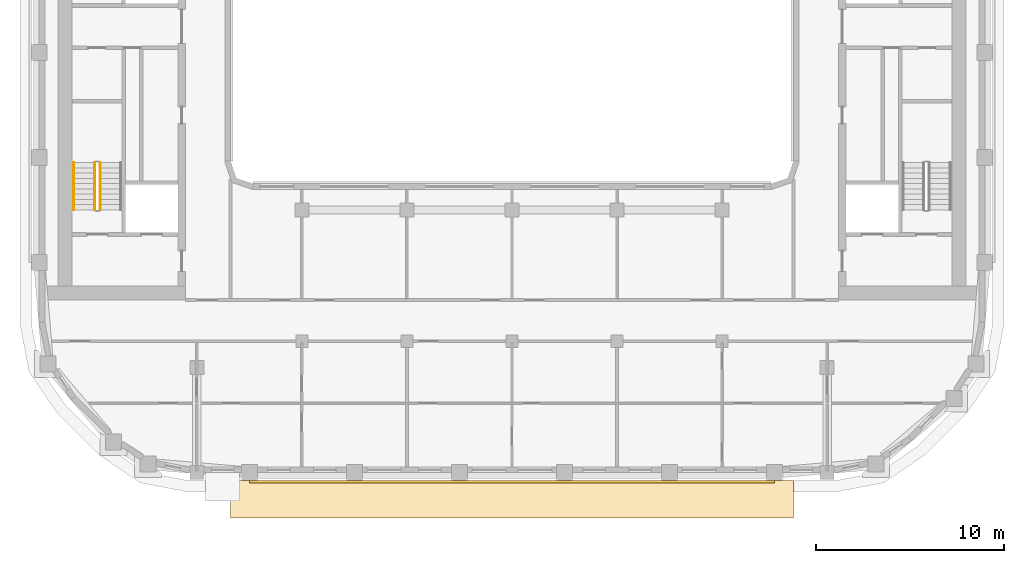
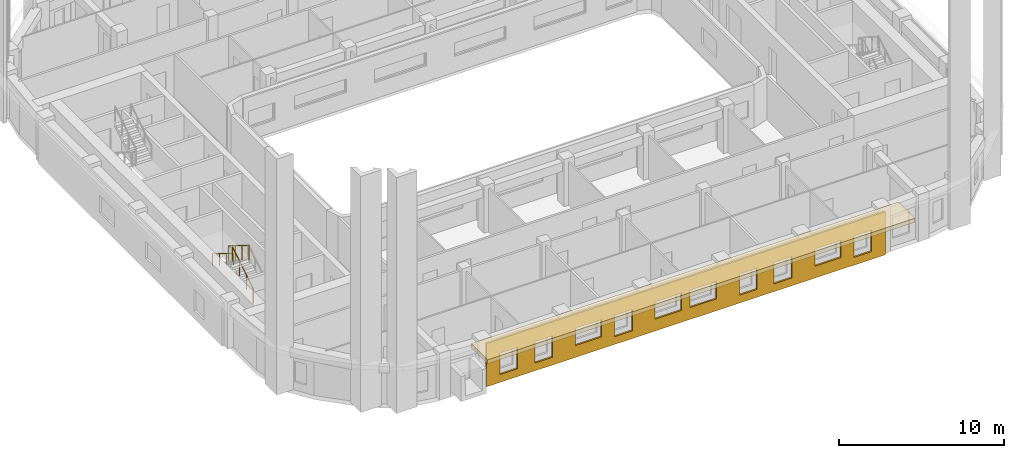
# One storey, part 11 of 21: 3 railings, 2 coverings.
"""IFC4 building model written with IfcOpenShell, lengths in metres."""

from ifc_helpers import new_model, si_unit, direction, frame, origin, origin_2d, place, context, subcontext, project, spatial, polyline, circle, outline, extrude, material, layer, layer_set, type_object, element, save


model = new_model("IFC4")

# Units and contexts
model_context = context("Model", 3, precision=1e-05, world=origin(), true_north=direction((0.0, 1.0)))
body_context = subcontext(model_context, "Body", "Model", "MODEL_VIEW")
ifc_project = project(units=[si_unit("LENGTHUNIT", "METRE"), si_unit("AREAUNIT", "SQUARE_METRE"), si_unit("VOLUMEUNIT", "CUBIC_METRE"), si_unit("PLANEANGLEUNIT", "RADIAN"), si_unit("MASSUNIT", "GRAM", prefix="KILO")], contexts=[model_context])

# Site, building, storey
site_placement = place(None, origin())
site = spatial("IfcSite", under=ifc_project, at=site_placement, CompositionType="ELEMENT")
building_placement = place(site_placement, origin())
building = spatial("IfcBuilding", under=site, at=building_placement, Name="Kiln Ring Residences", CompositionType="ELEMENT")
storey_placement = place(building_placement, frame((0.0, 0.0, 213.39990234375)))
storey = spatial("IfcBuildingStorey", under=building, at=storey_placement, Name="L55", CompositionType="ELEMENT", Elevation=213.39990234375)

# Railings
ifc_material_1 = material(Name="Stainless steel", Category="steel")
railing_type_1 = type_object("IfcRailingType", Name="CORE-STAIR-GUARD", PredefinedType="GUARDRAIL", material=ifc_material_1)
railing_1_placement = place(storey_placement, frame((-21.949951171875, -8.39990234375, 0.175048828125)))
element("IfcRailing", 1, at=railing_1_placement, inside=storey, type_object=railing_type_1, Name="L55 W-STS stair guard 1", PredefinedType="GUARDRAIL", context=body_context, shape_type="SweptSolid", body=[
    extrude(circle(Radius=0.02392578125, at=origin_2d()), frame((0.0, 0.0, 1.076171875), z_axis=(0.0, 0.848007534815, 0.529984170421), x_axis=(-1.0, 0.0, 0.0)), (0.0, 0.0, 1.0), 2.9716796875),
    extrude(circle(Radius=0.02099609375, at=origin_2d()), origin(), (0.0, 0.0, 1.0), 1.052001953125),
    extrude(circle(Radius=0.02099609375, at=origin_2d()), frame((0.0, 0.840087890625, 0.52490234375)), (0.0, 0.0, 1.0), 1.052001953125),
    extrude(circle(Radius=0.02099609375, at=origin_2d()), frame((0.0, 1.679931640625, 1.050048828125)), (0.0, 0.0, 1.0), 1.052001953125),
    extrude(circle(Radius=0.02099609375, at=origin_2d()), frame((0.0, 2.52001953125, 1.574951171875)), (0.0, 0.0, 1.0), 1.052001953125),
])
railing_2_placement = place(storey_placement, frame((-22.25, -5.8798828125, 1.925048828125)))
element("IfcRailing", 2, at=railing_2_placement, inside=storey, type_object=railing_type_1, Name="L55 W-STS stair guard 3", PredefinedType="GUARDRAIL", context=body_context, shape_type="SweptSolid", body=[
    extrude(circle(Radius=0.02392578125, at=origin_2d()), frame((0.0, 0.0, 1.076171875), z_axis=(0.0, -0.848007534815, 0.529984170421), x_axis=(1.0, 0.0, 0.0)), (0.0, 0.0, 1.0), 2.9716796875),
    extrude(circle(Radius=0.02099609375, at=origin_2d()), origin(), (0.0, 0.0, 1.0), 1.052001953125),
    extrude(circle(Radius=0.02099609375, at=origin_2d()), frame((0.0, -0.840087890625, 0.52490234375)), (0.0, 0.0, 1.0), 1.052001953125),
    extrude(circle(Radius=0.02099609375, at=origin_2d()), frame((0.0, -1.679931640625, 1.050048828125)), (0.0, 0.0, 1.0), 1.052001953125),
    extrude(circle(Radius=0.02099609375, at=origin_2d()), frame((0.0, -2.52001953125, 1.574951171875)), (0.0, 0.0, 1.0), 1.052001953125),
])
ifc_material_2 = material(Name="Stainless steel", Category="steel")
railing_type_2 = type_object("IfcRailingType", Name="CORE-STAIR-HANDRAIL", PredefinedType="HANDRAIL", material=ifc_material_2)
railing_3_placement = place(storey_placement, frame((-23.35009765625, -5.8798828125, 1.925048828125)))
element("IfcRailing", 3, at=railing_3_placement, inside=storey, type_object=railing_type_2, Name="L55 W-STS stair handrail 2", PredefinedType="HANDRAIL", context=body_context, shape_type="SweptSolid", body=[
    extrude(circle(Radius=0.02392578125, at=origin_2d()), frame((0.0, 0.0, 0.8759765625), z_axis=(0.0, -0.848007534815, 0.529984170421), x_axis=(1.0, 0.0, 0.0)), (0.0, 0.0, 1.0), 2.9716796875),
    extrude(circle(Radius=0.02099609375, at=origin_2d()), origin(), (0.0, 0.0, 1.0), 0.851806640625),
    extrude(circle(Radius=0.02099609375, at=origin_2d()), frame((0.0, -0.840087890625, 0.52490234375)), (0.0, 0.0, 1.0), 0.851806640625),
    extrude(circle(Radius=0.02099609375, at=origin_2d()), frame((0.0, -1.679931640625, 1.050048828125)), (0.0, 0.0, 1.0), 0.851806640625),
    extrude(circle(Radius=0.02099609375, at=origin_2d()), frame((0.0, -2.52001953125, 1.574951171875)), (0.0, 0.0, 1.0), 0.851806640625),
])

# Coverings
ifc_material_3 = material(Name="Brick masonry, dark clay brick", Category="masonry")
ifc_layer_1 = layer(ifc_material_3, 0.1201171875)
ifc_layer_set_1 = layer_set([ifc_layer_1], Name="RAINSCREEN PANEL 120")
covering_type_1 = type_object("IfcCoveringType", Name="RAINSCREEN PANEL 120", PredefinedType="CLADDING", material=ifc_layer_set_1)
covering_1_placement = place(storey_placement, frame((-14.0, -22.885009765625, 0.0), z_axis=(0.0, 0.0, 1.0), x_axis=(1.0, 0.0, 0.0)))
element("IfcCovering", 4, at=covering_1_placement, inside=storey, type_object=covering_type_1, Name="RAINSCREEN L55", PredefinedType="CLADDING", context=body_context, shape_type="SweptSolid", body=[
    extrude(outline(polyline([(0.0, 0.0), (28.0, 0.0), (28.0, 3.2001953125), (0.0, 3.2001953125), (0.0, 0.0)]), holes=[polyline([(0.955078125, 0.580078125), (2.195068359375, 0.580078125), (2.195068359375, 2.170166015625), (0.955078125, 2.170166015625), (0.955078125, 0.580078125)]), polyline([(3.405029296875, 0.580078125), (4.64501953125, 0.580078125), (4.64501953125, 2.170166015625), (3.405029296875, 2.170166015625), (3.405029296875, 0.580078125)]), polyline([(9.0048828125, 0.580078125), (10.2451171875, 0.580078125), (10.2451171875, 2.170166015625), (9.0048828125, 2.170166015625), (9.0048828125, 0.580078125)]), polyline([(17.7548828125, 2.170166015625), (17.7548828125, 0.580078125), (18.9951171875, 0.580078125), (18.9951171875, 2.170166015625), (17.7548828125, 2.170166015625)]), polyline([(20.205078125, 2.170166015625), (20.205078125, 0.580078125), (21.445068359375, 0.580078125), (21.445068359375, 2.170166015625), (20.205078125, 2.170166015625)]), polyline([(25.804931640625, 0.580078125), (27.044921875, 0.580078125), (27.044921875, 2.170166015625), (25.804931640625, 2.170166015625), (25.804931640625, 0.580078125)]), polyline([(6.2548828125, 0.880126953125), (8.094970703125, 0.880126953125), (8.094970703125, 2.170166015625), (6.2548828125, 2.170166015625), (6.2548828125, 0.880126953125)]), polyline([(11.85498046875, 0.880126953125), (13.695068359375, 0.880126953125), (13.695068359375, 2.170166015625), (11.85498046875, 2.170166015625), (11.85498046875, 0.880126953125)]), polyline([(14.304931640625, 2.170166015625), (14.304931640625, 0.880126953125), (16.14501953125, 0.880126953125), (16.14501953125, 2.170166015625), (14.304931640625, 2.170166015625)]), polyline([(23.054931640625, 2.170166015625), (23.054931640625, 0.880126953125), (24.89501953125, 0.880126953125), (24.89501953125, 2.170166015625), (23.054931640625, 2.170166015625)])]), frame((0.0, 0.06005859375, 0.0), z_axis=(0.0, -1.0, 0.0), x_axis=(1.0, 0.0, 0.0)), (0.0, 0.0, 1.0), 0.1201171875),
])
ifc_material_4 = material(Name="Black powder-coated steel", Category="steel")
ifc_layer_2 = layer(ifc_material_4, 0.300048828125)
ifc_layer_set_2 = layer_set([ifc_layer_2], Name="SUNSHADE BAND 2000")
covering_type_2 = type_object("IfcCoveringType", Name="SUNSHADE BAND 2000", PredefinedType="CLADDING", material=ifc_layer_set_2)
covering_2_placement = place(storey_placement, frame((0.0, 0.0, 3.2001953125)))
element("IfcCovering", 5, at=covering_2_placement, inside=storey, type_object=covering_type_2, Name="SUNSHADE BAND L55", PredefinedType="CLADDING", context=body_context, shape_type="SweptSolid", body=[
    extrude(outline(polyline([(-15.0, -24.824951171875), (15.0, -24.824951171875), (15.0, -22.824951171875), (-15.0, -22.824951171875), (-15.0, -24.824951171875)])), origin(), (0.0, 0.0, 1.0), 0.2998046875),
])

save(model, "model.ifc")
